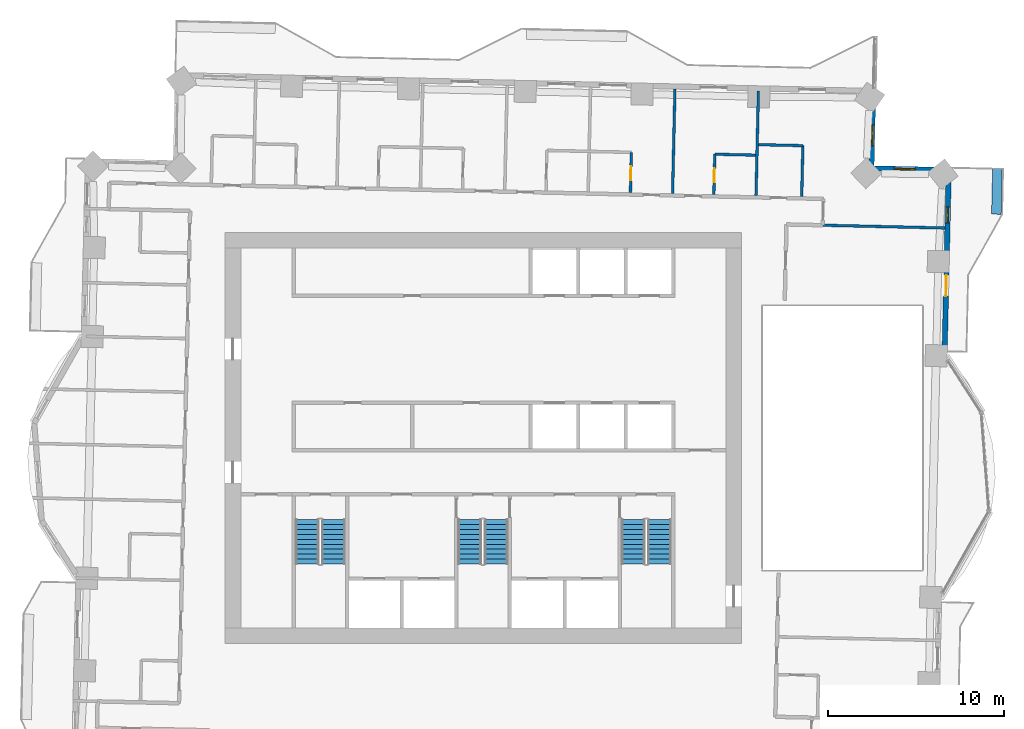
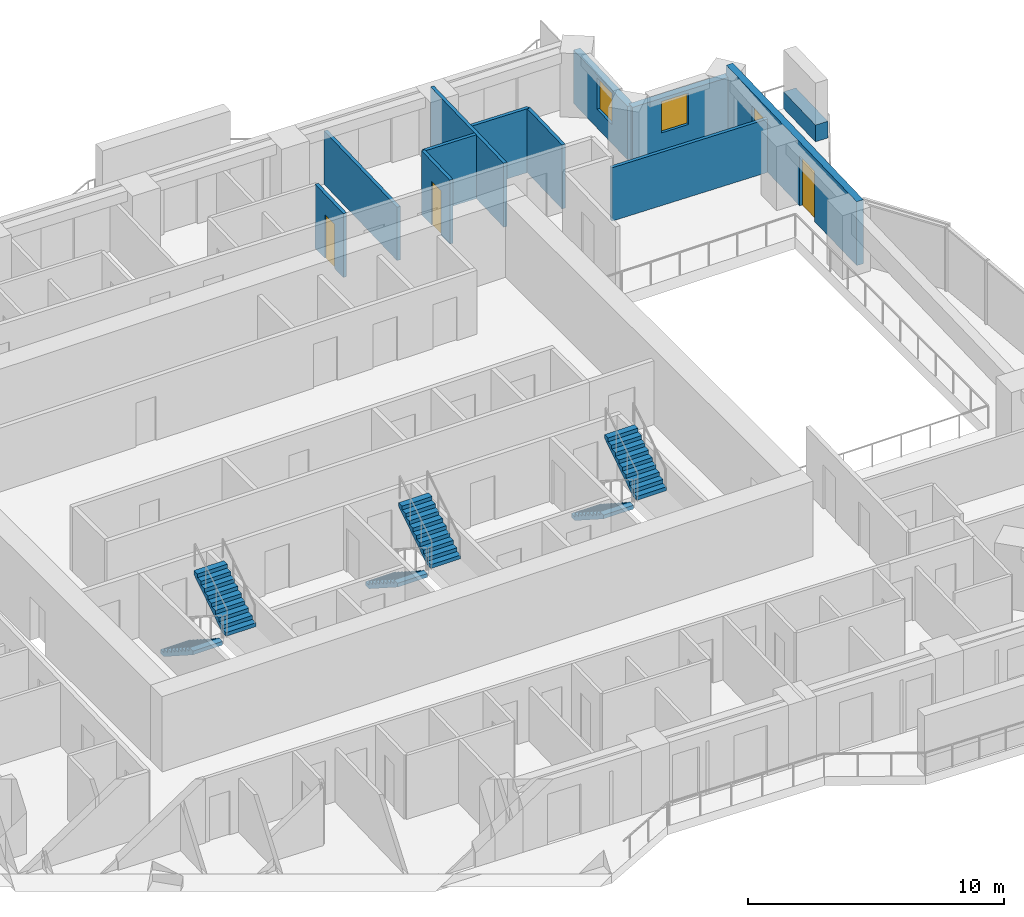
# One storey, part 10 of 14: 12 walls, 6 stair flights, 3 doors, 3 windows, 6 openings, 3 elements without a shape of their own.
"""IFC4 building model written with IfcOpenShell, lengths in metres."""

from ifc_helpers import new_model, si_unit, direction, frame, frame_2d, origin, place, context, subcontext, project, spatial, polyline, rectangle, outline, extrude, material, layer, layer_set, type_object, element, fill, aggregate, save


model = new_model("IFC4")

# Units and contexts
model_context = context("Model", 3, precision=1e-05, world=origin(), true_north=direction((0.0, 1.0)))
body_context = subcontext(model_context, "Body", "Model", "MODEL_VIEW")
ifc_project = project(units=[si_unit("LENGTHUNIT", "METRE"), si_unit("AREAUNIT", "SQUARE_METRE"), si_unit("VOLUMEUNIT", "CUBIC_METRE"), si_unit("PLANEANGLEUNIT", "RADIAN"), si_unit("MASSUNIT", "GRAM", prefix="KILO")], contexts=[model_context])

# Site, building, storey
site_placement = place(None, origin())
site = spatial("IfcSite", under=ifc_project, at=site_placement, CompositionType="ELEMENT")
building_placement = place(site_placement, origin())
building = spatial("IfcBuilding", under=site, at=building_placement, Name="Mangrove Gate Tower", CompositionType="ELEMENT")
storey_placement = place(building_placement, frame((0.0, 0.0, 152.699951171875)))
storey = spatial("IfcBuildingStorey", under=building, at=storey_placement, Name="L38", CompositionType="ELEMENT", Elevation=152.699951171875)

# Wall, openings, door, window
ifc_material_1 = material(Name="Limestone", Category="masonry")
ifc_layer_1 = layer(ifc_material_1, 0.0400390625, Name="Limestone cladding")
ifc_material_2 = material(Name="Ventilated air gap")
ifc_layer_2 = layer(ifc_material_2, 0.0400390625, Name="Ventilated cavity")
ifc_material_3 = material(Name="Mineral wool insulation")
ifc_layer_3 = layer(ifc_material_3, 0.06005859375, Name="Insulation")
ifc_material_4 = material(Name="Breather membrane")
ifc_layer_4 = layer(ifc_material_4, 0.001953125, Name="Breather membrane")
ifc_material_5 = material(Name="Concrete C20/25 blockwork", Category="masonry")
ifc_layer_5 = layer(ifc_material_5, 0.14990234375, Name="Blockwork backing wall")
ifc_material_6 = material(Name="Gypsum plaster")
ifc_layer_6 = layer(ifc_material_6, 0.008056640625, Name="Internal plaster")
ifc_layer_set_1 = layer_set([ifc_layer_1, ifc_layer_2, ifc_layer_3, ifc_layer_4, ifc_layer_5, ifc_layer_6], Name="External wall 300 limestone cladding")
wall_type_1 = type_object("IfcWallType", Name="External wall 300 limestone cladding", PredefinedType="SOLIDWALL", material=ifc_layer_set_1)
wall_1_placement = place(storey_placement, frame((26.238037109375, 4.613037109375, 0.0), z_axis=(0.0, 0.0, 1.0), x_axis=(0.022761056451, 0.999740933597, 0.0)))
wall_1 = element("IfcWall", 1, at=wall_1_placement, inside=storey, type_object=wall_type_1, Name="WALL-L38-E2", PredefinedType="SOLIDWALL", context=body_context, shape_type="SweptSolid", body=[
    extrude(rectangle(XDim=10.629638671875, YDim=0.300048828125, at=frame_2d((5.31494140625, 0.0))), origin(), (0.0, 0.0, 1.0), 3.050048828125),
])
opening_1_placement = place(wall_1_placement, frame((3.452880859375, 0.0, 0.0)))
opening_1 = element("IfcOpeningElement", 2, at=opening_1_placement, cuts=wall_1, Name="Opening BD2", PredefinedType="OPENING", context=body_context, shape_type="SweptSolid", body=[
    extrude(rectangle(XDim=1.199951171875, YDim=2.39990234375, at=frame_2d((0.60009765625, 1.199951171875))), frame((0.0, 0.159912109375, 0.0), z_axis=(0.0, -1.0, 0.0), x_axis=(1.0, 0.0, 0.0)), (0.0, 0.0, 1.0), 0.320068359375),
])
opening_2_placement = place(wall_1_placement, frame((7.62890625, 0.0, 0.89990234375)))
opening_2 = element("IfcOpeningElement", 3, at=opening_2_placement, cuts=wall_1, Name="Opening W5", PredefinedType="OPENING", context=body_context, shape_type="SweptSolid", body=[
    extrude(rectangle(XDim=0.89990234375, YDim=1.5, at=frame_2d((0.449951171875, 0.75))), frame((0.0, 0.159912109375, 0.0), z_axis=(0.0, -1.0, 0.0), x_axis=(1.0, 0.0, 0.0)), (0.0, 0.0, 1.0), 0.320068359375),
])
ifc_material_7 = material(Name="Aluminium frame with laminated clear glass", Category="aluminium")
door_type_1 = type_object("IfcDoorType", Name="Balcony sliding door 1200x2400", OperationType="SLIDING_TO_LEFT", PredefinedType="DOOR", material=ifc_material_7)
door_1_placement = place(opening_1_placement, origin())
door_1 = element("IfcDoor", 4, at=door_1_placement, inside=storey, type_object=door_type_1, Name="DOOR-L38-E2-1", OperationType="SLIDING_TO_LEFT", OverallHeight=2.39990234375, OverallWidth=1.199951171875, PredefinedType="DOOR", context=body_context, shape_type="SweptSolid", body=[
    extrude(rectangle(XDim=1.199951171875, YDim=2.39990234375, at=frame_2d((0.60009765625, 1.199951171875))), frame((0.0, 0.02490234375, 0.0), z_axis=(0.0, -1.0, 0.0), x_axis=(1.0, 0.0, 0.0)), (0.0, 0.0, 1.0), 0.050048828125),
])
fill(opening_1, door_1)
ifc_material_8 = material(Name="Aluminium frame with double-glazed low-e glass", Category="aluminium")
window_type_1 = type_object("IfcWindowType", Name="Narrow window 900x1500", PartitioningType="SINGLE_PANEL", PredefinedType="WINDOW", material=ifc_material_8)
window_1_placement = place(opening_2_placement, origin())
window_1 = element("IfcWindow", 5, at=window_1_placement, inside=storey, type_object=window_type_1, Name="WIN-L38-E2-2", OverallHeight=1.5, OverallWidth=0.89990234375, PartitioningType="SINGLE_PANEL", PredefinedType="WINDOW", context=body_context, shape_type="SweptSolid", body=[
    extrude(rectangle(XDim=0.89990234375, YDim=1.5, at=frame_2d((0.449951171875, 0.75))), frame((0.0, 0.030029296875, 0.0), z_axis=(0.0, -1.0, 0.0), x_axis=(1.0, 0.0, 0.0)), (0.0, 0.0, 1.0), 0.06005859375),
])
fill(opening_2, window_1)

# Wall, opening, window
wall_2_placement = place(storey_placement, frame((26.47998046875, 15.239990234375, 0.0), z_axis=(0.0, 0.0, 1.0), x_axis=(-0.999741204967, 0.022749133868, 0.0)))
wall_2 = element("IfcWall", 6, at=wall_2_placement, inside=storey, type_object=wall_type_1, Name="WALL-L38-N3", PredefinedType="SOLIDWALL", context=body_context, shape_type="SweptSolid", body=[
    extrude(rectangle(XDim=4.400146484375, YDim=0.300048828125, at=frame_2d((2.2001953125, 0.0))), origin(), (0.0, 0.0, 1.0), 2.550048828125),
])
opening_3_placement = place(wall_2_placement, frame((1.909912109375, 0.0, 0.89990234375)))
opening_3 = element("IfcOpeningElement", 7, at=opening_3_placement, cuts=wall_2, Name="Opening W1", PredefinedType="OPENING", context=body_context, shape_type="SweptSolid", body=[
    extrude(rectangle(XDim=1.199951171875, YDim=1.5, at=frame_2d((0.60009765625, 0.75))), frame((0.0, 0.159912109375, 0.0), z_axis=(0.0, -1.0, 0.0), x_axis=(1.0, 0.0, 0.0)), (0.0, 0.0, 1.0), 0.320068359375),
])
ifc_material_9 = material(Name="Aluminium frame with double-glazed low-e glass", Category="aluminium")
window_type_2 = type_object("IfcWindowType", Name="Side lite 1200x1500", PartitioningType="SINGLE_PANEL", PredefinedType="WINDOW", material=ifc_material_9)
window_2_placement = place(opening_3_placement, origin())
window_2 = element("IfcWindow", 8, at=window_2_placement, inside=storey, type_object=window_type_2, Name="WIN-L38-N3-1", OverallHeight=1.5, OverallWidth=1.199951171875, PartitioningType="SINGLE_PANEL", PredefinedType="WINDOW", context=body_context, shape_type="SweptSolid", body=[
    extrude(rectangle(XDim=1.199951171875, YDim=1.5, at=frame_2d((0.60009765625, 0.75))), frame((0.0, 0.030029296875, 0.0), z_axis=(0.0, -1.0, 0.0), x_axis=(1.0, 0.0, 0.0)), (0.0, 0.0, 1.0), 0.06005859375),
])
fill(opening_3, window_2)

wall_3_placement = place(storey_placement, frame((22.0810546875, 15.340087890625, 0.0), z_axis=(0.0, 0.0, 1.0), x_axis=(0.022693676786, 0.999742465355, 0.0)))
wall_3 = element("IfcWall", 9, at=wall_3_placement, inside=storey, type_object=wall_type_1, Name="WALL-L38-E4", PredefinedType="SOLIDWALL", context=body_context, shape_type="SweptSolid", body=[
    extrude(rectangle(XDim=4.400146484375, YDim=0.300048828125, at=frame_2d((2.2001953125, 0.0))), origin(), (0.0, 0.0, 1.0), 2.550048828125),
])
opening_4_placement = place(wall_3_placement, frame((1.277099609375, 0.0, 0.89990234375)))
opening_4 = element("IfcOpeningElement", 10, at=opening_4_placement, cuts=wall_3, Name="Opening W1", PredefinedType="OPENING", context=body_context, shape_type="SweptSolid", body=[
    extrude(rectangle(XDim=1.199951171875, YDim=1.5, at=frame_2d((0.60009765625, 0.75))), frame((0.0, 0.159912109375, 0.0), z_axis=(0.0, -1.0, 0.0), x_axis=(1.0, 0.0, 0.0)), (0.0, 0.0, 1.0), 0.320068359375),
])
window_3_placement = place(opening_4_placement, origin())
window_3 = element("IfcWindow", 11, at=window_3_placement, inside=storey, type_object=window_type_2, Name="WIN-L38-E4-1", OverallHeight=1.5, OverallWidth=1.199951171875, PartitioningType="SINGLE_PANEL", PredefinedType="WINDOW", context=body_context, shape_type="SweptSolid", body=[
    extrude(rectangle(XDim=1.199951171875, YDim=1.5, at=frame_2d((0.60009765625, 0.75))), frame((0.0, 0.030029296875, 0.0), z_axis=(0.0, -1.0, 0.0), x_axis=(1.0, 0.0, 0.0)), (0.0, 0.0, 1.0), 0.06005859375),
])
fill(opening_4, window_3)

# Wall
ifc_material_10 = material(Name="Gypsum board on steel stud, EI 60", Category="steel")
ifc_layer_7 = layer(ifc_material_10, 0.14990234375)
ifc_layer_set_2 = layer_set([ifc_layer_7], Name="Party wall 150 EI 60")
wall_type_2 = type_object("IfcWallType", Name="Party wall 150 EI 60", PredefinedType="PARTITIONING", material=ifc_layer_set_2)
wall_4_placement = place(storey_placement, frame((19.31494140625, 12.10205078125, 0.0), z_axis=(0.0, 0.0, 1.0), x_axis=(0.999741072391, -0.022754959327, 0.0)))
element("IfcWall", 12, at=wall_4_placement, inside=storey, type_object=wall_type_2, Name="WALL-L38-055", PredefinedType="PARTITIONING", context=body_context, shape_type="SweptSolid", body=[
    extrude(rectangle(XDim=6.941650390625, YDim=0.14990234375, at=frame_2d((3.470703125, 0.0))), origin(), (0.0, 0.0, 1.0), 2.550048828125),
])

# Wall, opening, door
wall_5_placement = place(storey_placement, frame((8.365966796875, 13.950927734375, 0.0), z_axis=(0.0, 0.0, 1.0), x_axis=(0.022612884682, 0.999744296031, 0.0)))
wall_5 = element("IfcWall", 13, at=wall_5_placement, inside=storey, type_object=wall_type_2, Name="WALL-L38-068", PredefinedType="PARTITIONING", context=body_context, shape_type="SweptSolid", body=[
    extrude(rectangle(XDim=2.299560546875, YDim=0.14990234375, at=frame_2d((1.14990234375, 0.0))), origin(), (0.0, 0.0, 1.0), 3.050048828125),
])
opening_5_placement = place(wall_5_placement, frame((0.699951171875, 0.0, 0.0)))
opening_5 = element("IfcOpeningElement", 14, at=opening_5_placement, cuts=wall_5, Name="Opening ED", PredefinedType="OPENING", context=body_context, shape_type="SweptSolid", body=[
    extrude(rectangle(XDim=0.800048828125, YDim=2.10009765625, at=frame_2d((0.39990234375, 1.050048828125))), frame((0.0, 0.0849609375, 0.0), z_axis=(0.0, -1.0, 0.0), x_axis=(1.0, 0.0, 0.0)), (0.0, 0.0, 1.0), 0.169921875),
])
ifc_material_11 = material(Name="Timber door leaf", Category="wood")
door_type_2 = type_object("IfcDoorType", Name="En-suite door 800", OperationType="SINGLE_SWING_LEFT", PredefinedType="DOOR", material=ifc_material_11)
door_2_placement = place(opening_5_placement, origin())
door_2 = element("IfcDoor", 15, at=door_2_placement, inside=storey, type_object=door_type_2, Name="DOOR-L38-ENS-c410", OperationType="SINGLE_SWING_RIGHT", OverallHeight=2.10009765625, OverallWidth=0.800048828125, PredefinedType="DOOR", context=body_context, shape_type="SweptSolid", body=[
    extrude(rectangle(XDim=0.800048828125, YDim=2.10009765625, at=frame_2d((0.39990234375, 1.050048828125))), frame((0.0, 0.02490234375, 0.0), z_axis=(0.0, -1.0, 0.0), x_axis=(1.0, 0.0, 0.0)), (0.0, 0.0, 1.0), 0.050048828125),
])
fill(opening_5, door_2)

# Wall
wall_6_placement = place(storey_placement, frame((10.764892578125, 13.89599609375, 0.0), z_axis=(0.0, 0.0, 1.0), x_axis=(0.022688785847, 0.999742576365, 0.0)))
element("IfcWall", 16, at=wall_6_placement, inside=storey, type_object=wall_type_2, Name="WALL-L38-069", PredefinedType="PARTITIONING", context=body_context, shape_type="SweptSolid", body=[
    extrude(rectangle(XDim=5.950439453125, YDim=0.14990234375, at=frame_2d((2.97509765625, 0.0))), origin(), (0.0, 0.0, 1.0), 2.550048828125),
])

# Wall, opening, door
wall_7_placement = place(storey_placement, frame((13.114013671875, 13.843017578125, 0.0), z_axis=(0.0, 0.0, 1.0), x_axis=(0.023037316498, 0.999734605807, 0.0)))
wall_7 = element("IfcWall", 17, at=wall_7_placement, inside=storey, type_object=wall_type_2, Name="WALL-L38-070", PredefinedType="PARTITIONING", context=body_context, shape_type="SweptSolid", body=[
    extrude(rectangle(XDim=2.299560546875, YDim=0.14990234375, at=frame_2d((1.14990234375, 0.0))), origin(), (0.0, 0.0, 1.0), 3.050048828125),
])
opening_6_placement = place(wall_7_placement, frame((0.699951171875, 0.0, 0.0)))
opening_6 = element("IfcOpeningElement", 18, at=opening_6_placement, cuts=wall_7, Name="Opening ED", PredefinedType="OPENING", context=body_context, shape_type="SweptSolid", body=[
    extrude(rectangle(XDim=0.800048828125, YDim=2.10009765625, at=frame_2d((0.39990234375, 1.050048828125))), frame((0.0, 0.0849609375, 0.0), z_axis=(0.0, -1.0, 0.0), x_axis=(1.0, 0.0, 0.0)), (0.0, 0.0, 1.0), 0.169921875),
])
door_3_placement = place(opening_6_placement, origin())
door_3 = element("IfcDoor", 19, at=door_3_placement, inside=storey, type_object=door_type_2, Name="DOOR-L38-ENS-c309", OperationType="SINGLE_SWING_LEFT", OverallHeight=2.10009765625, OverallWidth=0.800048828125, PredefinedType="DOOR", context=body_context, shape_type="SweptSolid", body=[
    extrude(rectangle(XDim=0.800048828125, YDim=2.10009765625, at=frame_2d((0.39990234375, 1.050048828125))), frame((0.0, 0.02490234375, 0.0), z_axis=(0.0, -1.0, 0.0), x_axis=(1.0, 0.0, 0.0)), (0.0, 0.0, 1.0), 0.050048828125),
])
fill(opening_6, door_3)

# Walls
wall_8_placement = place(storey_placement, frame((15.513916015625, 13.7880859375, 0.0), z_axis=(0.0, 0.0, 1.0), x_axis=(0.022688785847, 0.999742576365, 0.0)))
element("IfcWall", 20, at=wall_8_placement, inside=storey, type_object=wall_type_2, Name="WALL-L38-071", PredefinedType="PARTITIONING", context=body_context, shape_type="SweptSolid", body=[
    extrude(rectangle(XDim=5.950439453125, YDim=0.14990234375, at=frame_2d((2.97509765625, 0.0))), origin(), (0.0, 0.0, 1.0), 3.050048828125),
])
wall_9_placement = place(storey_placement, frame((18.113037109375, 13.72900390625, 0.0), z_axis=(0.0, 0.0, 1.0), x_axis=(0.022725229174, 0.999741748633, 0.0)))
element("IfcWall", 21, at=wall_9_placement, inside=storey, type_object=wall_type_2, Name="WALL-L38-072", PredefinedType="PARTITIONING", context=body_context, shape_type="SweptSolid", body=[
    extrude(rectangle(XDim=2.900634765625, YDim=0.14990234375, at=frame_2d((1.4501953125, 0.0))), origin(), (0.0, 0.0, 1.0), 3.050048828125),
])
wall_10_placement = place(storey_placement, frame((13.1669921875, 16.14208984375, 0.0), z_axis=(0.0, 0.0, 1.0), x_axis=(0.999740260747, -0.02279059109, 0.0)))
element("IfcWall", 22, at=wall_10_placement, inside=storey, type_object=wall_type_2, Name="WALL-L38-076", PredefinedType="PARTITIONING", context=body_context, shape_type="SweptSolid", body=[
    extrude(rectangle(XDim=2.324462890625, YDim=0.14990234375, at=frame_2d((1.162109375, 0.0))), origin(), (0.0, 0.0, 1.0), 3.050048828125),
])
wall_11_placement = place(storey_placement, frame((15.655029296875, 16.68603515625, 0.0), z_axis=(0.0, 0.0, 1.0), x_axis=(0.99974392816, -0.022629142889, 0.0)))
element("IfcWall", 23, at=wall_11_placement, inside=storey, type_object=wall_type_2, Name="WALL-L38-078", PredefinedType="PARTITIONING", context=body_context, shape_type="SweptSolid", body=[
    extrude(rectangle(XDim=2.524658203125, YDim=0.14990234375, at=frame_2d((1.26220703125, 0.0))), origin(), (0.0, 0.0, 1.0), 3.050048828125),
])
ifc_material_12 = material(Name="Concrete C32/40", Category="concrete")
ifc_layer_8 = layer(ifc_material_12, 0.199951171875, Name="Planter trough wall")
ifc_material_13 = material(Name="Bituminous waterproofing membrane")
ifc_layer_9 = layer(ifc_material_13, 0.0048828125, Name="Waterproofing")
ifc_material_14 = material(Name="Drainage board and gravel")
ifc_layer_10 = layer(ifc_material_14, 0.044921875, Name="Drainage layer")
ifc_material_15 = material(Name="Planting soil")
ifc_layer_11 = layer(ifc_material_15, 0.300048828125, Name="Growing medium")
ifc_layer_set_3 = layer_set([ifc_layer_8, ifc_layer_9, ifc_layer_10, ifc_layer_11], Name="Planter wall 550 C32/40")
wall_type_3 = type_object("IfcWallType", Name="Planter wall 550 C32/40", PredefinedType="USERDEFINED", material=ifc_layer_set_3)
wall_12_placement = place(storey_placement, frame((29.18798828125, 12.72802734375, 0.0), z_axis=(0.0, 0.0, 1.0), x_axis=(0.022727805448, 0.999741690068, 0.0)))
element("IfcWall", 24, at=wall_12_placement, inside=storey, type_object=wall_type_3, Name="PLANTER L38 E1.1", ObjectType="PLANTER", PredefinedType="USERDEFINED", context=body_context, shape_type="SweptSolid", body=[
    extrude(rectangle(XDim=2.599609375, YDim=0.550048828125, at=frame_2d((1.2998046875, 0.0))), origin(), (0.0, 0.0, 1.0), 0.800048828125),
])

# Stair, stair flights
ifc_material_16 = material(Name="Concrete C40/50", Category="concrete")
stair_type = type_object("IfcStairType", Name="Core stair 1350", PredefinedType="HALF_TURN_STAIR", material=ifc_material_16)
stair_1_placement = place(storey_placement, origin())
stair_1 = element("IfcStair", 25, at=stair_1_placement, inside=storey, type_object=stair_type, Name="L38 Stair 1", PredefinedType="HALF_TURN_STAIR")
ifc_material_17 = material(Name="Concrete C40/50", Category="concrete")
stair_flight_type = type_object("IfcStairFlightType", Name="Core stair flight 1350", PredefinedType="STRAIGHT", material=ifc_material_17)
stair_flight_1_placement = place(storey_placement, frame((-10.02490234375, -4.64990234375, 0.0), z_axis=(0.0, 0.0, 1.0), x_axis=(0.0, -1.0, 0.0)))
stair_flight_1 = element("IfcStairFlight", 26, at=stair_flight_1_placement, type_object=stair_flight_type, Name="ST1 flight 1", NumberOfRisers=10, NumberOfTreads=9, PredefinedType="STRAIGHT", RiserHeight=0.18, TreadLength=0.28, context=body_context, shape_type="SweptSolid", body=[
    extrude(outline(polyline([(0.0, 0.0), (0.0, 0.179931640625), (0.280029296875, 0.179931640625), (0.280029296875, 0.360107421875), (0.56005859375, 0.360107421875), (0.56005859375, 0.5400390625), (0.840087890625, 0.5400390625), (0.840087890625, 0.719970703125), (1.1201171875, 0.719970703125), (1.1201171875, 0.89990234375), (1.39990234375, 0.89990234375), (1.39990234375, 1.080078125), (1.679931640625, 1.080078125), (1.679931640625, 1.260009765625), (1.9599609375, 1.260009765625), (1.9599609375, 1.43994140625), (2.239990234375, 1.43994140625), (2.239990234375, 1.6201171875), (2.52001953125, 1.6201171875), (2.52001953125, 1.800048828125), (2.52001953125, 1.44189453125), (0.277099609375, 0.0), (0.0, 0.0)])), frame((0.0, 0.675048828125, 0.0), z_axis=(0.0, -1.0, 0.0), x_axis=(1.0, 0.0, 0.0)), (0.0, 0.0, 1.0), 1.35009765625),
])
stair_flight_2_placement = place(storey_placement, frame((-8.52490234375, -7.169921875, 1.800048828125), z_axis=(0.0, 0.0, 1.0), x_axis=(0.0, 1.0, 0.0)))
stair_flight_2 = element("IfcStairFlight", 27, at=stair_flight_2_placement, type_object=stair_flight_type, Name="ST1 flight 2", NumberOfRisers=10, NumberOfTreads=9, PredefinedType="STRAIGHT", RiserHeight=0.18, TreadLength=0.28, context=body_context, shape_type="SweptSolid", body=[
    extrude(outline(polyline([(0.0, 0.0), (0.0, 0.179931640625), (0.280029296875, 0.179931640625), (0.280029296875, 0.360107421875), (0.56005859375, 0.360107421875), (0.56005859375, 0.5400390625), (0.840087890625, 0.5400390625), (0.840087890625, 0.719970703125), (1.1201171875, 0.719970703125), (1.1201171875, 0.89990234375), (1.39990234375, 0.89990234375), (1.39990234375, 1.080078125), (1.679931640625, 1.080078125), (1.679931640625, 1.260009765625), (1.9599609375, 1.260009765625), (1.9599609375, 1.43994140625), (2.239990234375, 1.43994140625), (2.239990234375, 1.6201171875), (2.52001953125, 1.6201171875), (2.52001953125, 1.800048828125), (2.52001953125, 1.44189453125), (0.277099609375, 0.0), (0.0, 0.0)])), frame((0.0, 0.675048828125, 0.0), z_axis=(0.0, -1.0, 0.0), x_axis=(1.0, 0.0, 0.0)), (0.0, 0.0, 1.0), 1.35009765625),
])
aggregate(stair_1, [stair_flight_1, stair_flight_2])

stair_2_placement = place(storey_placement, origin())
stair_2 = element("IfcStair", 28, at=stair_2_placement, inside=storey, type_object=stair_type, Name="L38 Stair 2", PredefinedType="HALF_TURN_STAIR")
stair_flight_3_placement = place(storey_placement, frame((-0.77490234375, -4.64990234375, 0.0), z_axis=(0.0, 0.0, 1.0), x_axis=(0.0, -1.0, 0.0)))
stair_flight_3 = element("IfcStairFlight", 29, at=stair_flight_3_placement, type_object=stair_flight_type, Name="ST2 flight 1", NumberOfRisers=10, NumberOfTreads=9, PredefinedType="STRAIGHT", RiserHeight=0.18, TreadLength=0.28, context=body_context, shape_type="SweptSolid", body=[
    extrude(outline(polyline([(0.0, 0.0), (0.0, 0.179931640625), (0.280029296875, 0.179931640625), (0.280029296875, 0.360107421875), (0.56005859375, 0.360107421875), (0.56005859375, 0.5400390625), (0.840087890625, 0.5400390625), (0.840087890625, 0.719970703125), (1.1201171875, 0.719970703125), (1.1201171875, 0.89990234375), (1.39990234375, 0.89990234375), (1.39990234375, 1.080078125), (1.679931640625, 1.080078125), (1.679931640625, 1.260009765625), (1.9599609375, 1.260009765625), (1.9599609375, 1.43994140625), (2.239990234375, 1.43994140625), (2.239990234375, 1.6201171875), (2.52001953125, 1.6201171875), (2.52001953125, 1.800048828125), (2.52001953125, 1.44189453125), (0.277099609375, 0.0), (0.0, 0.0)])), frame((0.0, 0.675048828125, 0.0), z_axis=(0.0, -1.0, 0.0), x_axis=(1.0, 0.0, 0.0)), (0.0, 0.0, 1.0), 1.35009765625),
])
stair_flight_4_placement = place(storey_placement, frame((0.72509765625, -7.169921875, 1.800048828125), z_axis=(0.0, 0.0, 1.0), x_axis=(0.0, 1.0, 0.0)))
stair_flight_4 = element("IfcStairFlight", 30, at=stair_flight_4_placement, type_object=stair_flight_type, Name="ST2 flight 2", NumberOfRisers=10, NumberOfTreads=9, PredefinedType="STRAIGHT", RiserHeight=0.18, TreadLength=0.28, context=body_context, shape_type="SweptSolid", body=[
    extrude(outline(polyline([(0.0, 0.0), (0.0, 0.179931640625), (0.280029296875, 0.179931640625), (0.280029296875, 0.360107421875), (0.56005859375, 0.360107421875), (0.56005859375, 0.5400390625), (0.840087890625, 0.5400390625), (0.840087890625, 0.719970703125), (1.1201171875, 0.719970703125), (1.1201171875, 0.89990234375), (1.39990234375, 0.89990234375), (1.39990234375, 1.080078125), (1.679931640625, 1.080078125), (1.679931640625, 1.260009765625), (1.9599609375, 1.260009765625), (1.9599609375, 1.43994140625), (2.239990234375, 1.43994140625), (2.239990234375, 1.6201171875), (2.52001953125, 1.6201171875), (2.52001953125, 1.800048828125), (2.52001953125, 1.44189453125), (0.277099609375, 0.0), (0.0, 0.0)])), frame((0.0, 0.675048828125, 0.0), z_axis=(0.0, -1.0, 0.0), x_axis=(1.0, 0.0, 0.0)), (0.0, 0.0, 1.0), 1.35009765625),
])
aggregate(stair_2, [stair_flight_3, stair_flight_4])

stair_3_placement = place(storey_placement, origin())
stair_3 = element("IfcStair", 31, at=stair_3_placement, inside=storey, type_object=stair_type, Name="L38 Stair 3", PredefinedType="HALF_TURN_STAIR")
stair_flight_5_placement = place(storey_placement, frame((8.52490234375, -4.64990234375, 0.0), z_axis=(0.0, 0.0, 1.0), x_axis=(0.0, -1.0, 0.0)))
stair_flight_5 = element("IfcStairFlight", 32, at=stair_flight_5_placement, type_object=stair_flight_type, Name="ST3 flight 1", NumberOfRisers=10, NumberOfTreads=9, PredefinedType="STRAIGHT", RiserHeight=0.18, TreadLength=0.28, context=body_context, shape_type="SweptSolid", body=[
    extrude(outline(polyline([(0.0, 0.0), (0.0, 0.179931640625), (0.280029296875, 0.179931640625), (0.280029296875, 0.360107421875), (0.56005859375, 0.360107421875), (0.56005859375, 0.5400390625), (0.840087890625, 0.5400390625), (0.840087890625, 0.719970703125), (1.1201171875, 0.719970703125), (1.1201171875, 0.89990234375), (1.39990234375, 0.89990234375), (1.39990234375, 1.080078125), (1.679931640625, 1.080078125), (1.679931640625, 1.260009765625), (1.9599609375, 1.260009765625), (1.9599609375, 1.43994140625), (2.239990234375, 1.43994140625), (2.239990234375, 1.6201171875), (2.52001953125, 1.6201171875), (2.52001953125, 1.800048828125), (2.52001953125, 1.44189453125), (0.277099609375, 0.0), (0.0, 0.0)])), frame((0.0, 0.675048828125, 0.0), z_axis=(0.0, -1.0, 0.0), x_axis=(1.0, 0.0, 0.0)), (0.0, 0.0, 1.0), 1.35009765625),
])
stair_flight_6_placement = place(storey_placement, frame((10.02490234375, -7.169921875, 1.800048828125), z_axis=(0.0, 0.0, 1.0), x_axis=(0.0, 1.0, 0.0)))
stair_flight_6 = element("IfcStairFlight", 33, at=stair_flight_6_placement, type_object=stair_flight_type, Name="ST3 flight 2", NumberOfRisers=10, NumberOfTreads=9, PredefinedType="STRAIGHT", RiserHeight=0.18, TreadLength=0.28, context=body_context, shape_type="SweptSolid", body=[
    extrude(outline(polyline([(0.0, 0.0), (0.0, 0.179931640625), (0.280029296875, 0.179931640625), (0.280029296875, 0.360107421875), (0.56005859375, 0.360107421875), (0.56005859375, 0.5400390625), (0.840087890625, 0.5400390625), (0.840087890625, 0.719970703125), (1.1201171875, 0.719970703125), (1.1201171875, 0.89990234375), (1.39990234375, 0.89990234375), (1.39990234375, 1.080078125), (1.679931640625, 1.080078125), (1.679931640625, 1.260009765625), (1.9599609375, 1.260009765625), (1.9599609375, 1.43994140625), (2.239990234375, 1.43994140625), (2.239990234375, 1.6201171875), (2.52001953125, 1.6201171875), (2.52001953125, 1.800048828125), (2.52001953125, 1.44189453125), (0.277099609375, 0.0), (0.0, 0.0)])), frame((0.0, 0.675048828125, 0.0), z_axis=(0.0, -1.0, 0.0), x_axis=(1.0, 0.0, 0.0)), (0.0, 0.0, 1.0), 1.35009765625),
])
aggregate(stair_3, [stair_flight_5, stair_flight_6])

save(model, "model.ifc")
